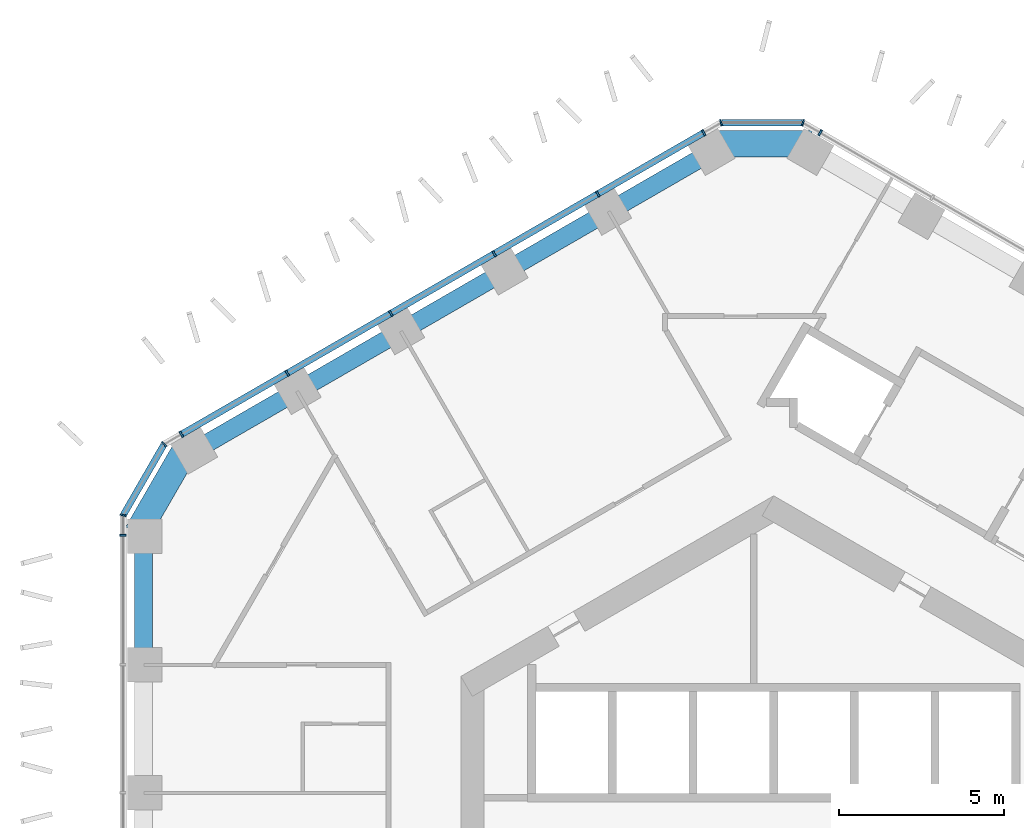
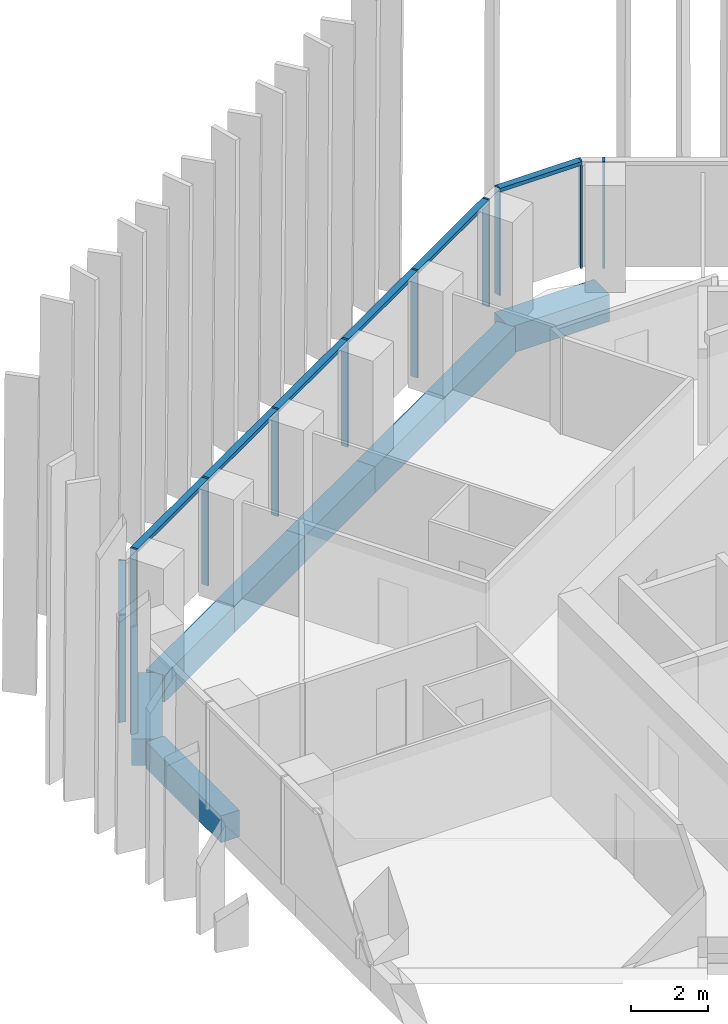
# One storey, part 5 of 19: 15 members, 8 beams, 5 elements without a shape of their own.
"""IFC4 building model written with IfcOpenShell, lengths in metres."""

from ifc_helpers import new_model, si_unit, direction, frame, origin, origin_2d, place, context, subcontext, project, spatial, rectangle, extrude, material, layer, layer_set, material_profile, profile_set, type_object, element, aggregate, save


model = new_model("IFC4")

# Units and contexts
model_context = context("Model", 3, precision=1e-05, world=origin(), true_north=direction((0.0, 1.0)))
body_context = subcontext(model_context, "Body", "Model", "MODEL_VIEW")
ifc_project = project(units=[si_unit("LENGTHUNIT", "METRE"), si_unit("AREAUNIT", "SQUARE_METRE"), si_unit("VOLUMEUNIT", "CUBIC_METRE"), si_unit("PLANEANGLEUNIT", "RADIAN"), si_unit("MASSUNIT", "GRAM", prefix="KILO")], contexts=[model_context])

# Site, building, storey
site_placement = place(None, origin())
site = spatial("IfcSite", under=ifc_project, at=site_placement, CompositionType="ELEMENT")
building_placement = place(site_placement, origin())
building = spatial("IfcBuilding", under=site, at=building_placement, Name="Ayvan Gate Tower", CompositionType="ELEMENT")
storey_placement = place(building_placement, frame((0.0, 0.0, 103.5)))
storey = spatial("IfcBuildingStorey", under=building, at=storey_placement, Name="L27", CompositionType="ELEMENT", Elevation=103.5)

# Beams
ifc_material_1 = material(Name="Concrete C40/50", Category="concrete")
ifc_material_profile_1 = material_profile(ifc_material_1, rectangle(XDim=0.800048828125, YDim=0.85009765625, at=origin_2d()), Name="RC 800x850")
ifc_profile_set_1 = profile_set([ifc_material_profile_1], Name="Concrete C40/50")
beam_type_1 = type_object("IfcBeamType", Name="Corner spandrel beam RC 800x850 C40/50", PredefinedType="BEAM", material=ifc_profile_set_1)
for number, where, z_axis, x_axis, name in (
    (1, (1.157470703125, 21.65625, -0.77490234375), (-1.0, 0.0, 0.0), (0.0, -1.0, 0.0), "SB-L27-12"),
    (2, (-17.83349609375, 12.423828125, -0.77490234375), (-0.499990139034, -0.866031096941, 0.0), (0.866031096941, -0.499990139034, 0.0), "SB-L27-18"),
):
    element("IfcBeam", number, at=place(storey_placement, frame(where, z_axis=z_axis, x_axis=x_axis)), inside=storey, type_object=beam_type_1, Name=name, PredefinedType="BEAM", context=body_context, shape_type="SweptSolid", body=[
        extrude(rectangle(XDim=0.800048828125, YDim=0.85009765625, at=origin_2d()), origin(), (0.0, 0.0, 1.0), 3.0),
    ])
ifc_material_profile_2 = material_profile(ifc_material_1, rectangle(XDim=0.550048828125, YDim=0.85009765625, at=origin_2d()), Name="RC 550x850")
ifc_profile_set_2 = profile_set([ifc_material_profile_2], Name="Concrete C40/50")
beam_type_2 = type_object("IfcBeamType", Name="Spandrel beam RC 550x850 C40/50", PredefinedType="BEAM", material=ifc_profile_set_2)
for number, where, z_axis, x_axis, name in (
    (3, (-1.842529296875, 21.436279296875, -0.77490234375), (-0.866031831963, -0.499988865904, 0.0), (0.499988865904, -0.866031831963, 0.0), "SB-L27-13"),
    (4, (-5.002685546875, 19.61181640625, -0.77490234375), (-0.866031831963, -0.499988865904, 0.0), (0.499988865904, -0.866031831963, 0.0), "SB-L27-14"),
    (5, (-8.162841796875, 17.787353515625, -0.77490234375), (-0.865986130724, -0.500068016768, 0.0), (0.500068016768, -0.865986130724, 0.0), "SB-L27-15"),
    (6, (-11.32275390625, 15.962646484375, -0.77490234375), (-0.866031831963, -0.499988865904, 0.0), (0.499988865904, -0.866031831963, 0.0), "SB-L27-16"),
    (7, (-14.48291015625, 14.13818359375, -0.77490234375), (-0.866031831963, -0.499988865904, 0.0), (0.499988865904, -0.866031831963, 0.0), "SB-L27-17"),
):
    element("IfcBeam", number, at=place(storey_placement, frame(where, z_axis=z_axis, x_axis=x_axis)), inside=storey, type_object=beam_type_2, Name=name, PredefinedType="BEAM", context=body_context, shape_type="SweptSolid", body=[
        extrude(rectangle(XDim=0.550048828125, YDim=0.85009765625, at=origin_2d()), origin(), (0.0, 0.0, 1.0), 3.64892578125),
    ])
beam_placement = place(storey_placement, frame((-19.14306640625, 9.7158203125, -0.77490234375), z_axis=(0.0, -1.0, 0.0), x_axis=(1.0, 0.0, 0.0)))
element("IfcBeam", 8, at=beam_placement, inside=storey, type_object=beam_type_2, Name="SB-L27-19", PredefinedType="BEAM", context=body_context, shape_type="SweptSolid", body=[
    extrude(rectangle(XDim=0.550048828125, YDim=0.85009765625, at=origin_2d()), origin(), (0.0, 0.0, 1.0), 3.886474609375),
])

# Curtain wall, members
ifc_material_2 = material(Name="Bronze anodised aluminium", Category="aluminium")
ifc_layer_1 = layer(ifc_material_2, 0.199951171875)
ifc_layer_set_1 = layer_set([ifc_layer_1], Name="Bronze anodised aluminium")
curtain_wall_type_1 = type_object("IfcCurtainWallType", Name="Stick curtain wall CW-1", PredefinedType="NOTDEFINED", material=ifc_layer_set_1)
curtain_wall_1_placement = place(storey_placement, origin())
curtain_wall_1 = element("IfcCurtainWall", 9, at=curtain_wall_1_placement, inside=storey, type_object=curtain_wall_type_1, Name="Stick curtain wall CW-1 L27", PredefinedType="NOTDEFINED")
ifc_material_profile_3 = material_profile(ifc_material_2, rectangle(XDim=0.199951171875, YDim=0.06005859375, at=origin_2d()), Name="Stick curtain wall CW-1 mullion 200 x 60")
ifc_profile_set_3 = profile_set([ifc_material_profile_3], Name="Bronze anodised aluminium")
member_type_1 = type_object("IfcMemberType", Name="Stick curtain wall CW-1 mullion 200 x 60", PredefinedType="MULLION", material=ifc_profile_set_3)
member_1_placement = place(storey_placement, frame((-2.123291015625, 21.995849609375, 0.0), z_axis=(0.0, 0.0, 1.0), x_axis=(-0.5, 0.866025403784, 0.0)))
member_1 = element("IfcMember", 10, at=member_1_placement, type_object=member_type_1, Name="CW-1 mullion 1", PredefinedType="MULLION", context=body_context, shape_type="SweptSolid", body=[
    extrude(rectangle(XDim=0.199951171875, YDim=0.06005859375, at=origin_2d()), origin(), (0.0, 0.0, 1.0), 3.39990234375),
])
member_2_placement = place(storey_placement, frame((-5.341552734375, 20.1376953125, 0.0), z_axis=(0.0, 0.0, 1.0), x_axis=(-0.5, 0.866025403784, 0.0)))
member_2 = element("IfcMember", 11, at=member_2_placement, type_object=member_type_1, Name="CW-1 mullion 2", PredefinedType="MULLION", context=body_context, shape_type="SweptSolid", body=[
    extrude(rectangle(XDim=0.199951171875, YDim=0.06005859375, at=origin_2d()), origin(), (0.0, 0.0, 1.0), 3.39990234375),
])
member_3_placement = place(storey_placement, frame((-8.484375, 18.3232421875, 0.0), z_axis=(0.0, 0.0, 1.0), x_axis=(-0.5, 0.866025403784, 0.0)))
member_3 = element("IfcMember", 12, at=member_3_placement, type_object=member_type_1, Name="CW-1 mullion 3", PredefinedType="MULLION", context=body_context, shape_type="SweptSolid", body=[
    extrude(rectangle(XDim=0.199951171875, YDim=0.06005859375, at=origin_2d()), origin(), (0.0, 0.0, 1.0), 3.39990234375),
])
member_4_placement = place(storey_placement, frame((-11.626953125, 16.5087890625, 0.0), z_axis=(0.0, 0.0, 1.0), x_axis=(-0.5, 0.866025403784, 0.0)))
member_4 = element("IfcMember", 13, at=member_4_placement, type_object=member_type_1, Name="CW-1 mullion 4", PredefinedType="MULLION", context=body_context, shape_type="SweptSolid", body=[
    extrude(rectangle(XDim=0.199951171875, YDim=0.06005859375, at=origin_2d()), origin(), (0.0, 0.0, 1.0), 3.39990234375),
])
member_5_placement = place(storey_placement, frame((-14.769775390625, 14.6943359375, 0.0), z_axis=(0.0, 0.0, 1.0), x_axis=(-0.5, 0.866025403784, 0.0)))
member_5 = element("IfcMember", 14, at=member_5_placement, type_object=member_type_1, Name="CW-1 mullion 5", PredefinedType="MULLION", context=body_context, shape_type="SweptSolid", body=[
    extrude(rectangle(XDim=0.199951171875, YDim=0.06005859375, at=origin_2d()), origin(), (0.0, 0.0, 1.0), 3.39990234375),
])
member_6_placement = place(storey_placement, frame((-17.9873046875, 12.836669921875, 0.0), z_axis=(0.0, 0.0, 1.0), x_axis=(-0.5, 0.866025403784, 0.0)))
member_6 = element("IfcMember", 15, at=member_6_placement, type_object=member_type_1, Name="CW-1 mullion 6", PredefinedType="MULLION", context=body_context, shape_type="SweptSolid", body=[
    extrude(rectangle(XDim=0.199951171875, YDim=0.06005859375, at=origin_2d()), origin(), (0.0, 0.0, 1.0), 3.39990234375),
])

# Curtain wall, member
curtain_wall_2_placement = place(storey_placement, origin())
curtain_wall_2 = element("IfcCurtainWall", 16, at=curtain_wall_2_placement, inside=storey, type_object=curtain_wall_type_1, Name="Stick curtain wall CW-1 L27", PredefinedType="NOTDEFINED")
member_7_placement = place(storey_placement, frame((-19.75439453125, 9.77587890625, 0.0), z_axis=(0.0, 0.0, 1.0), x_axis=(-1.0, 0.0, 0.0)))
member_7 = element("IfcMember", 17, at=member_7_placement, type_object=member_type_1, Name="CW-1 mullion 1", PredefinedType="MULLION", context=body_context, shape_type="SweptSolid", body=[
    extrude(rectangle(XDim=0.199951171875, YDim=0.06005859375, at=origin_2d()), origin(), (0.0, 0.0, 1.0), 3.39990234375),
])
aggregate(curtain_wall_2, [member_7])

curtain_wall_3_placement = place(storey_placement, origin())
curtain_wall_3 = element("IfcCurtainWall", 18, at=curtain_wall_3_placement, inside=storey, type_object=curtain_wall_type_1, Name="Stick curtain wall CW-1 L27", PredefinedType="NOTDEFINED")
member_8_placement = place(storey_placement, frame((1.4111328125, 21.995849609375, 0.0), z_axis=(0.0, 0.0, 1.0), x_axis=(0.5, 0.866025403784, 0.0)))
member_8 = element("IfcMember", 19, at=member_8_placement, type_object=member_type_1, Name="CW-1 mullion 6", PredefinedType="MULLION", context=body_context, shape_type="SweptSolid", body=[
    extrude(rectangle(XDim=0.199951171875, YDim=0.06005859375, at=origin_2d()), origin(), (0.0, 0.0, 1.0), 3.39990234375),
])
aggregate(curtain_wall_3, [member_8])

# Member
ifc_material_profile_4 = material_profile(ifc_material_2, rectangle(XDim=0.199951171875, YDim=0.1201171875, at=origin_2d()), Name="Stick curtain wall CW-1 transom 200 x 120")
ifc_profile_set_4 = profile_set([ifc_material_profile_4], Name="Bronze anodised aluminium")
member_type_2 = type_object("IfcMemberType", Name="Stick curtain wall CW-1 transom 200 x 120", PredefinedType="USERDEFINED", material=ifc_profile_set_4)
member_9_placement = place(storey_placement, frame((-2.123291015625, 21.995849609375, 3.340087890625), z_axis=(-0.866023344319, -0.500003567083, 0.0), x_axis=(0.500003567083, -0.866023344319, 0.0)))
member_9 = element("IfcMember", 20, at=member_9_placement, type_object=member_type_2, Name="CW-1 transom 1", ObjectType="TRANSOM", PredefinedType="USERDEFINED", context=body_context, shape_type="SweptSolid", body=[
    extrude(rectangle(XDim=0.199951171875, YDim=0.1201171875, at=origin_2d()), origin(), (0.0, 0.0, 1.0), 18.318115234375),
])

aggregate(curtain_wall_1, [member_1, member_2, member_3, member_4, member_5, member_6, member_9])

# Curtain wall, members
ifc_layer_2 = layer(ifc_material_2, 0.199951171875)
ifc_layer_set_2 = layer_set([ifc_layer_2], Name="Bronze anodised aluminium")
curtain_wall_type_2 = type_object("IfcCurtainWallType", Name="Stick curtain wall CW-6", PredefinedType="NOTDEFINED", material=ifc_layer_set_2)
curtain_wall_4_placement = place(storey_placement, origin())
curtain_wall_4 = element("IfcCurtainWall", 21, at=curtain_wall_4_placement, inside=storey, type_object=curtain_wall_type_2, Name="Stick curtain wall CW-6 L27", PredefinedType="NOTDEFINED")
ifc_material_profile_5 = material_profile(ifc_material_2, rectangle(XDim=0.199951171875, YDim=0.050048828125, at=origin_2d()), Name="Stick curtain wall CW-6 mullion 200 x 50")
ifc_profile_set_5 = profile_set([ifc_material_profile_5], Name="Bronze anodised aluminium")
member_type_3 = type_object("IfcMemberType", Name="Stick curtain wall CW-6 mullion 200 x 50", PredefinedType="MULLION", material=ifc_profile_set_5)
member_10_placement = place(storey_placement, frame((-18.51123046875, 12.5341796875, 0.0), z_axis=(0.0, 0.0, 1.0), x_axis=(-0.707106781187, 0.707106781187, 0.0)))
member_10 = element("IfcMember", 22, at=member_10_placement, type_object=member_type_3, Name="CW-6 mullion 2", PredefinedType="MULLION", context=body_context, shape_type="SweptSolid", body=[
    extrude(rectangle(XDim=0.199951171875, YDim=0.050048828125, at=origin_2d()), origin(), (0.0, 0.0, 1.0), 3.39990234375),
])
member_11_placement = place(storey_placement, frame((-19.75439453125, 10.380859375, 0.0), z_axis=(0.0, 0.0, 1.0), x_axis=(-0.965925826289, 0.258819045103, 0.0)))
member_11 = element("IfcMember", 23, at=member_11_placement, type_object=member_type_3, Name="CW-6 mullion 3", PredefinedType="MULLION", context=body_context, shape_type="SweptSolid", body=[
    extrude(rectangle(XDim=0.199951171875, YDim=0.050048828125, at=origin_2d()), origin(), (0.0, 0.0, 1.0), 3.39990234375),
])

curtain_wall_5_placement = place(storey_placement, origin())
curtain_wall_5 = element("IfcCurtainWall", 24, at=curtain_wall_5_placement, inside=storey, type_object=curtain_wall_type_2, Name="Stick curtain wall CW-6 L27", PredefinedType="NOTDEFINED")
member_12_placement = place(storey_placement, frame((0.88720703125, 22.29833984375, 0.0), z_axis=(0.0, 0.0, 1.0), x_axis=(0.258819045103, 0.965925826289, 0.0)))
member_12 = element("IfcMember", 25, at=member_12_placement, type_object=member_type_3, Name="CW-6 mullion 2", PredefinedType="MULLION", context=body_context, shape_type="SweptSolid", body=[
    extrude(rectangle(XDim=0.199951171875, YDim=0.050048828125, at=origin_2d()), origin(), (0.0, 0.0, 1.0), 3.39990234375),
])
member_13_placement = place(storey_placement, frame((-1.599365234375, 22.29833984375, 0.0), z_axis=(0.0, 0.0, 1.0), x_axis=(-0.258819045103, 0.965925826289, 0.0)))
member_13 = element("IfcMember", 26, at=member_13_placement, type_object=member_type_3, Name="CW-6 mullion 3", PredefinedType="MULLION", context=body_context, shape_type="SweptSolid", body=[
    extrude(rectangle(XDim=0.199951171875, YDim=0.050048828125, at=origin_2d()), origin(), (0.0, 0.0, 1.0), 3.39990234375),
])

# Member
ifc_material_profile_6 = material_profile(ifc_material_2, rectangle(XDim=0.199951171875, YDim=0.1201171875, at=origin_2d()), Name="Stick curtain wall CW-6 transom 200 x 120")
ifc_profile_set_6 = profile_set([ifc_material_profile_6], Name="Bronze anodised aluminium")
member_type_4 = type_object("IfcMemberType", Name="Stick curtain wall CW-6 transom 200 x 120", PredefinedType="USERDEFINED", material=ifc_profile_set_6)
member_14_placement = place(storey_placement, frame((-18.523681640625, 12.5126953125, 3.340087890625), z_axis=(-0.499997116, -0.866027068856, 0.0), x_axis=(0.866027068856, -0.499997116, 0.0)))
member_14 = element("IfcMember", 27, at=member_14_placement, type_object=member_type_4, Name="CW-6 transom 2", ObjectType="TRANSOM", PredefinedType="USERDEFINED", context=body_context, shape_type="SweptSolid", body=[
    extrude(rectangle(XDim=0.199951171875, YDim=0.1201171875, at=origin_2d()), origin(), (0.0, 0.0, 1.0), 2.4365234375),
])

aggregate(curtain_wall_4, [member_10, member_11, member_14])

member_15_placement = place(storey_placement, frame((0.8623046875, 22.29833984375, 3.340087890625), z_axis=(-1.0, 0.0, 0.0), x_axis=(0.0, -1.0, 0.0)))
member_15 = element("IfcMember", 28, at=member_15_placement, type_object=member_type_4, Name="CW-6 transom 2", ObjectType="TRANSOM", PredefinedType="USERDEFINED", context=body_context, shape_type="SweptSolid", body=[
    extrude(rectangle(XDim=0.199951171875, YDim=0.1201171875, at=origin_2d()), origin(), (0.0, 0.0, 1.0), 2.436767578125),
])

aggregate(curtain_wall_5, [member_12, member_13, member_15])

save(model, "model.ifc")
